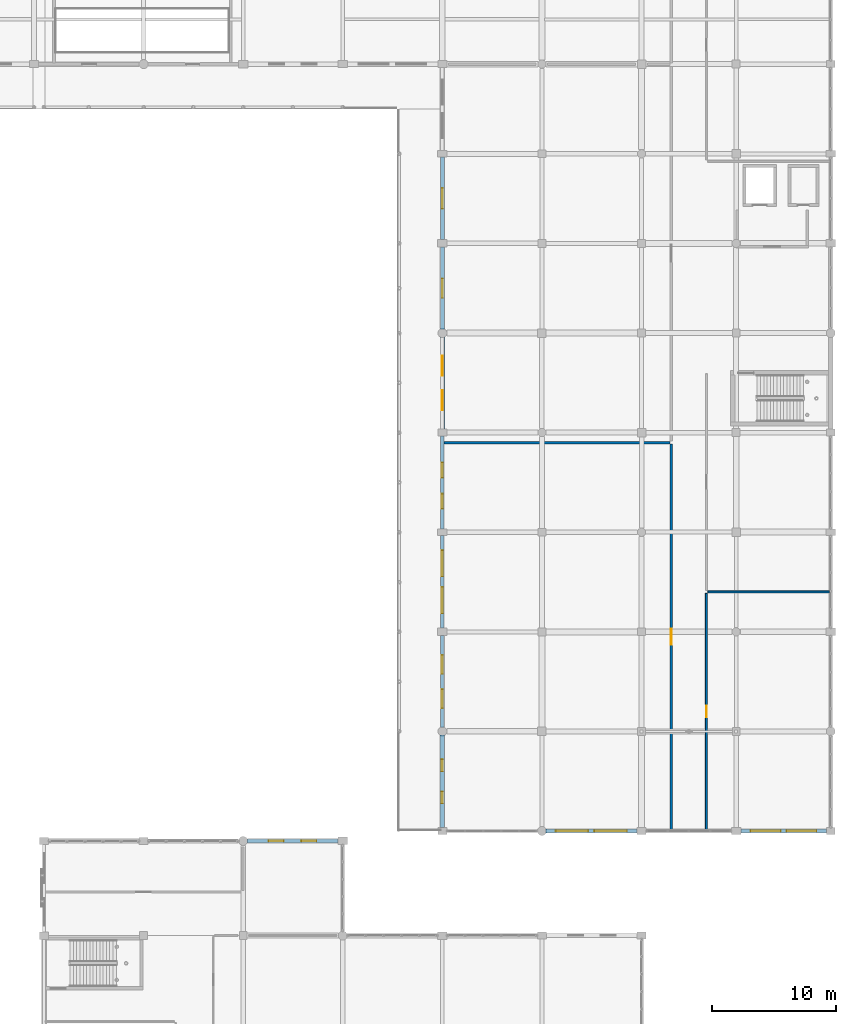
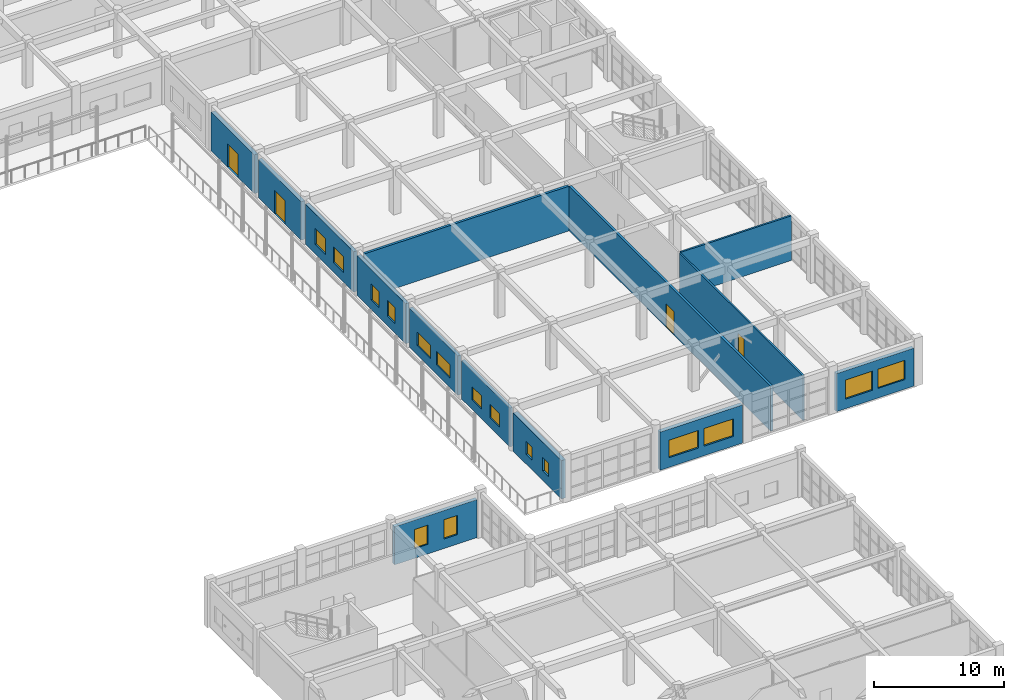
# One storey, part 135 of 160: 16 windows, 14 walls, 4 doors, 20 openings.
"""IFC4 building model written with IfcOpenShell, lengths in metres."""

from ifc_helpers import new_model, si_unit, direction, frame, frame_2d, origin, place, context, subcontext, project, spatial, rectangle, extrude, material, layer, layer_set, type_object, element, fill, save


model = new_model("IFC4")

# Units and contexts
model_context = context("Model", 3, precision=1e-05, world=origin(), true_north=direction((0.0, 1.0)))
body_context = subcontext(model_context, "Body", "Model", "MODEL_VIEW")
ifc_project = project(units=[si_unit("LENGTHUNIT", "METRE"), si_unit("AREAUNIT", "SQUARE_METRE"), si_unit("VOLUMEUNIT", "CUBIC_METRE"), si_unit("PLANEANGLEUNIT", "RADIAN"), si_unit("MASSUNIT", "GRAM", prefix="KILO")], contexts=[model_context])

# Site, building, storey
site_placement = place(None, origin())
site = spatial("IfcSite", under=ifc_project, at=site_placement, CompositionType="ELEMENT")
building_placement = place(site_placement, origin())
building = spatial("IfcBuilding", under=site, at=building_placement, Name="Kharva Crest Polytechnic", CompositionType="ELEMENT")
storey_placement = place(building_placement, frame((0.0, 0.0, 4.5)))
storey = spatial("IfcBuildingStorey", under=building, at=storey_placement, Name="L01", CompositionType="ELEMENT", Elevation=4.5)

# Wall, openings, windows
ifc_material_1 = material(Name="Kiln brick masonry", Category="masonry")
ifc_layer_1 = layer(ifc_material_1, 0.260009765625, Name="Kiln brick masonry")
ifc_layer_set_1 = layer_set([ifc_layer_1], Name="Kiln brick masonry")
wall_type_1 = type_object("IfcWallType", Name="WL-EXT-BRK-260", PredefinedType="SOLIDWALL", material=ifc_layer_set_1)
wall_1_placement = place(storey_placement, frame((152.800048828125, 54.5048828125, 0.0), z_axis=(0.0, 0.0, 1.0), x_axis=(0.0, -1.0, 0.0)))
wall_1 = element("IfcWall", 1, at=wall_1_placement, inside=storey, type_object=wall_type_1, Name="L01 Exterior Brick Wall 197", PredefinedType="SOLIDWALL", context=body_context, shape_type="SweptSolid", body=[
    extrude(rectangle(XDim=7.402587890625, YDim=0.260009765625, at=frame_2d((3.701171875, 0.0))), origin(), (0.0, 0.0, 1.0), 3.639892578125),
])
opening_1_placement = place(wall_1_placement, frame((1.573974609375, 0.0, 0.89990234375)))
opening_1 = element("IfcOpeningElement", 2, at=opening_1_placement, cuts=wall_1, Name="Opening W20", PredefinedType="OPENING", context=body_context, shape_type="SweptSolid", body=[
    extrude(rectangle(XDim=1.5, YDim=1.25, at=frame_2d((0.75, 0.625))), frame((0.0, 0.139892578125, 0.0), z_axis=(0.0, -1.0, 0.0), x_axis=(1.0, 0.0, 0.0)), (0.0, 0.0, 1.0), 0.280029296875),
])
opening_2_placement = place(wall_1_placement, frame((4.327880859375, 0.0, 0.89990234375)))
opening_2 = element("IfcOpeningElement", 3, at=opening_2_placement, cuts=wall_1, Name="Opening W20", PredefinedType="OPENING", context=body_context, shape_type="SweptSolid", body=[
    extrude(rectangle(XDim=1.5, YDim=1.25, at=frame_2d((0.75, 0.625))), frame((0.0, 0.139892578125, 0.0), z_axis=(0.0, -1.0, 0.0), x_axis=(1.0, 0.0, 0.0)), (0.0, 0.0, 1.0), 0.280029296875),
])
ifc_material_2 = material(Name="Anodised aluminium", Category="aluminium")
window_type_1 = type_object("IfcWindowType", Name="WIN-ALU-1500X1250", PartitioningType="SINGLE_PANEL", PredefinedType="WINDOW", material=ifc_material_2)
window_1_placement = place(opening_1_placement, origin())
window_1 = element("IfcWindow", 4, at=window_1_placement, inside=storey, type_object=window_type_1, Name="L01 Exterior Window 258", OverallHeight=1.25, OverallWidth=1.5, PartitioningType="SINGLE_PANEL", PredefinedType="WINDOW", context=body_context, shape_type="SweptSolid", body=[
    extrude(rectangle(XDim=1.5, YDim=1.25, at=frame_2d((0.75, 0.625))), frame((0.0, 0.030029296875, 0.0), z_axis=(0.0, -1.0, 0.0), x_axis=(1.0, 0.0, 0.0)), (0.0, 0.0, 1.0), 0.06005859375),
])
fill(opening_1, window_1)
window_2_placement = place(opening_2_placement, origin())
window_2 = element("IfcWindow", 5, at=window_2_placement, inside=storey, type_object=window_type_1, Name="L01 Exterior Window 259", OverallHeight=1.25, OverallWidth=1.5, PartitioningType="SINGLE_PANEL", PredefinedType="WINDOW", context=body_context, shape_type="SweptSolid", body=[
    extrude(rectangle(XDim=1.5, YDim=1.25, at=frame_2d((0.75, 0.625))), frame((0.0, 0.030029296875, 0.0), z_axis=(0.0, -1.0, 0.0), x_axis=(1.0, 0.0, 0.0)), (0.0, 0.0, 1.0), 0.06005859375),
])
fill(opening_2, window_2)

ifc_layer_2 = layer(ifc_material_1, 0.27490234375, Name="Kiln brick masonry")
ifc_layer_set_2 = layer_set([ifc_layer_2], Name="Kiln brick masonry")
wall_type_2 = type_object("IfcWallType", Name="WL-EXT-BRK-275", PredefinedType="SOLIDWALL", material=ifc_layer_set_2)
wall_2_placement = place(storey_placement, frame((152.800048828125, 62.530029296875, 0.0), z_axis=(0.0, 0.0, 1.0), x_axis=(0.0, -1.0, 0.0)))
wall_2 = element("IfcWall", 6, at=wall_2_placement, inside=storey, type_object=wall_type_2, Name="L01 Exterior Brick Wall 196", PredefinedType="SOLIDWALL", context=body_context, shape_type="SweptSolid", body=[
    extrude(rectangle(XDim=7.43505859375, YDim=0.27490234375, at=frame_2d((3.717529296875, 0.0))), origin(), (0.0, 0.0, 1.0), 3.699951171875),
])
opening_3_placement = place(wall_2_placement, frame((1.18505859375, 0.0, 0.89990234375)))
opening_3 = element("IfcOpeningElement", 7, at=opening_3_placement, cuts=wall_2, Name="Opening W18", PredefinedType="OPENING", context=body_context, shape_type="SweptSolid", body=[
    extrude(rectangle(XDim=2.10009765625, YDim=1.25, at=frame_2d((1.050048828125, 0.625))), frame((0.0, 0.1474609375, 0.0), z_axis=(0.0, -1.0, 0.0), x_axis=(1.0, 0.0, 0.0)), (0.0, 0.0, 1.0), 0.294921875),
])
opening_4_placement = place(wall_2_placement, frame((4.14990234375, 0.0, 0.89990234375)))
opening_4 = element("IfcOpeningElement", 8, at=opening_4_placement, cuts=wall_2, Name="Opening W18", PredefinedType="OPENING", context=body_context, shape_type="SweptSolid", body=[
    extrude(rectangle(XDim=2.10009765625, YDim=1.25, at=frame_2d((1.050048828125, 0.625))), frame((0.0, 0.1474609375, 0.0), z_axis=(0.0, -1.0, 0.0), x_axis=(1.0, 0.0, 0.0)), (0.0, 0.0, 1.0), 0.294921875),
])
window_type_2 = type_object("IfcWindowType", Name="WIN-ALU-2100X1250", PartitioningType="SINGLE_PANEL", PredefinedType="WINDOW", material=ifc_material_2)
window_3_placement = place(opening_3_placement, origin())
window_3 = element("IfcWindow", 9, at=window_3_placement, inside=storey, type_object=window_type_2, Name="L01 Exterior Window 256", OverallHeight=1.25, OverallWidth=2.10009765625, PartitioningType="SINGLE_PANEL", PredefinedType="WINDOW", context=body_context, shape_type="SweptSolid", body=[
    extrude(rectangle(XDim=2.10009765625, YDim=1.25, at=frame_2d((1.050048828125, 0.625))), frame((0.0, 0.030029296875, 0.0), z_axis=(0.0, -1.0, 0.0), x_axis=(1.0, 0.0, 0.0)), (0.0, 0.0, 1.0), 0.06005859375),
])
fill(opening_3, window_3)
window_4_placement = place(opening_4_placement, origin())
window_4 = element("IfcWindow", 10, at=window_4_placement, inside=storey, type_object=window_type_2, Name="L01 Exterior Window 257", OverallHeight=1.25, OverallWidth=2.10009765625, PartitioningType="SINGLE_PANEL", PredefinedType="WINDOW", context=body_context, shape_type="SweptSolid", body=[
    extrude(rectangle(XDim=2.10009765625, YDim=1.25, at=frame_2d((1.050048828125, 0.625))), frame((0.0, 0.030029296875, 0.0), z_axis=(0.0, -1.0, 0.0), x_axis=(1.0, 0.0, 0.0)), (0.0, 0.0, 1.0), 0.06005859375),
])
fill(opening_4, window_4)

ifc_layer_3 = layer(ifc_material_1, 0.2900390625, Name="Kiln brick masonry")
ifc_layer_set_3 = layer_set([ifc_layer_3], Name="Kiln brick masonry")
wall_type_3 = type_object("IfcWallType", Name="WL-EXT-BRK-290", PredefinedType="SOLIDWALL", material=ifc_layer_set_3)
wall_3_placement = place(storey_placement, frame((152.800048828125, 70.530029296875, 0.0), z_axis=(0.0, 0.0, 1.0), x_axis=(0.0, -1.0, 0.0)))
wall_3 = element("IfcWall", 11, at=wall_3_placement, inside=storey, type_object=wall_type_3, Name="L01 Exterior Brick Wall 195", PredefinedType="SOLIDWALL", context=body_context, shape_type="SweptSolid", body=[
    extrude(rectangle(XDim=7.4599609375, YDim=0.2900390625, at=frame_2d((3.72998046875, 0.0))), origin(), (0.0, 0.0, 1.0), 3.760009765625),
])
opening_5_placement = place(wall_3_placement, frame((2.139892578125, 0.0, 0.89990234375)))
opening_5 = element("IfcOpeningElement", 12, at=opening_5_placement, cuts=wall_3, Name="Opening W16", PredefinedType="OPENING", context=body_context, shape_type="SweptSolid", body=[
    extrude(rectangle(XDim=1.199951171875, YDim=1.5, at=frame_2d((0.60009765625, 0.75))), frame((0.0, 0.155029296875, 0.0), z_axis=(0.0, -1.0, 0.0), x_axis=(1.0, 0.0, 0.0)), (0.0, 0.0, 1.0), 0.31005859375),
])
opening_6_placement = place(wall_3_placement, frame((4.639892578125, 0.0, 0.89990234375)))
opening_6 = element("IfcOpeningElement", 13, at=opening_6_placement, cuts=wall_3, Name="Opening W16", PredefinedType="OPENING", context=body_context, shape_type="SweptSolid", body=[
    extrude(rectangle(XDim=1.199951171875, YDim=1.5, at=frame_2d((0.60009765625, 0.75))), frame((0.0, 0.155029296875, 0.0), z_axis=(0.0, -1.0, 0.0), x_axis=(1.0, 0.0, 0.0)), (0.0, 0.0, 1.0), 0.31005859375),
])
window_type_3 = type_object("IfcWindowType", Name="WIN-ALU-1200X1500", PartitioningType="SINGLE_PANEL", PredefinedType="WINDOW", material=ifc_material_2)
window_5_placement = place(opening_5_placement, origin())
window_5 = element("IfcWindow", 14, at=window_5_placement, inside=storey, type_object=window_type_3, Name="L01 Exterior Window 254", OverallHeight=1.5, OverallWidth=1.199951171875, PartitioningType="SINGLE_PANEL", PredefinedType="WINDOW", context=body_context, shape_type="SweptSolid", body=[
    extrude(rectangle(XDim=1.199951171875, YDim=1.5, at=frame_2d((0.60009765625, 0.75))), frame((0.0, 0.030029296875, 0.0), z_axis=(0.0, -1.0, 0.0), x_axis=(1.0, 0.0, 0.0)), (0.0, 0.0, 1.0), 0.06005859375),
])
fill(opening_5, window_5)
window_6_placement = place(opening_6_placement, origin())
window_6 = element("IfcWindow", 15, at=window_6_placement, inside=storey, type_object=window_type_3, Name="L01 Exterior Window 255", OverallHeight=1.5, OverallWidth=1.199951171875, PartitioningType="SINGLE_PANEL", PredefinedType="WINDOW", context=body_context, shape_type="SweptSolid", body=[
    extrude(rectangle(XDim=1.199951171875, YDim=1.5, at=frame_2d((0.60009765625, 0.75))), frame((0.0, 0.030029296875, 0.0), z_axis=(0.0, -1.0, 0.0), x_axis=(1.0, 0.0, 0.0)), (0.0, 0.0, 1.0), 0.06005859375),
])
fill(opening_6, window_6)

ifc_layer_4 = layer(ifc_material_1, 0.304931640625, Name="Kiln brick masonry")
ifc_layer_set_4 = layer_set([ifc_layer_4], Name="Kiln brick masonry")
wall_type_4 = type_object("IfcWallType", Name="WL-EXT-BRK-305", PredefinedType="SOLIDWALL", material=ifc_layer_set_4)
wall_4_placement = place(storey_placement, frame((144.429931640625, 38.0, 0.0), z_axis=(0.0, 0.0, 1.0), x_axis=(-1.0, 0.0, 0.0)))
wall_4 = element("IfcWall", 16, at=wall_4_placement, inside=storey, type_object=wall_type_4, Name="L01 Exterior Brick Wall 154", PredefinedType="SOLIDWALL", context=body_context, shape_type="SweptSolid", body=[
    extrude(rectangle(XDim=7.32763671875, YDim=0.304931640625, at=frame_2d((3.663818359375, 0.0))), origin(), (0.0, 0.0, 1.0), 3.570068359375),
])
opening_7_placement = place(wall_4_placement, frame((1.7490234375, 0.0, 0.89990234375)))
opening_7 = element("IfcOpeningElement", 17, at=opening_7_placement, cuts=wall_4, Name="Opening W08", PredefinedType="OPENING", context=body_context, shape_type="SweptSolid", body=[
    extrude(rectangle(XDim=1.199951171875, YDim=1.800048828125, at=frame_2d((0.60009765625, 0.89990234375))), frame((0.0, 0.162353515625, 0.0), z_axis=(0.0, -1.0, 0.0), x_axis=(1.0, 0.0, 0.0)), (0.0, 0.0, 1.0), 0.324951171875),
])
opening_8_placement = place(wall_4_placement, frame((4.3779296875, 0.0, 0.89990234375)))
opening_8 = element("IfcOpeningElement", 18, at=opening_8_placement, cuts=wall_4, Name="Opening W08", PredefinedType="OPENING", context=body_context, shape_type="SweptSolid", body=[
    extrude(rectangle(XDim=1.199951171875, YDim=1.800048828125, at=frame_2d((0.60009765625, 0.89990234375))), frame((0.0, 0.162353515625, 0.0), z_axis=(0.0, -1.0, 0.0), x_axis=(1.0, 0.0, 0.0)), (0.0, 0.0, 1.0), 0.324951171875),
])
window_type_4 = type_object("IfcWindowType", Name="WIN-ALU-1200X1800", PartitioningType="SINGLE_PANEL", PredefinedType="WINDOW", material=ifc_material_2)
window_7_placement = place(opening_7_placement, origin())
window_7 = element("IfcWindow", 19, at=window_7_placement, inside=storey, type_object=window_type_4, Name="L01 Exterior Window 198", OverallHeight=1.800048828125, OverallWidth=1.199951171875, PartitioningType="SINGLE_PANEL", PredefinedType="WINDOW", context=body_context, shape_type="SweptSolid", body=[
    extrude(rectangle(XDim=1.199951171875, YDim=1.800048828125, at=frame_2d((0.60009765625, 0.89990234375))), frame((0.0, 0.030029296875, 0.0), z_axis=(0.0, -1.0, 0.0), x_axis=(1.0, 0.0, 0.0)), (0.0, 0.0, 1.0), 0.06005859375),
])
fill(opening_7, window_7)
window_8_placement = place(opening_8_placement, origin())
window_8 = element("IfcWindow", 20, at=window_8_placement, inside=storey, type_object=window_type_4, Name="L01 Exterior Window 199", OverallHeight=1.800048828125, OverallWidth=1.199951171875, PartitioningType="SINGLE_PANEL", PredefinedType="WINDOW", context=body_context, shape_type="SweptSolid", body=[
    extrude(rectangle(XDim=1.199951171875, YDim=1.800048828125, at=frame_2d((0.60009765625, 0.89990234375))), frame((0.0, 0.030029296875, 0.0), z_axis=(0.0, -1.0, 0.0), x_axis=(1.0, 0.0, 0.0)), (0.0, 0.0, 1.0), 0.06005859375),
])
fill(opening_8, window_8)

wall_5_placement = place(storey_placement, frame((152.800048828125, 78.49755859375, 0.0), z_axis=(0.0, 0.0, 1.0), x_axis=(0.0, -1.0, 0.0)))
wall_5 = element("IfcWall", 21, at=wall_5_placement, inside=storey, type_object=wall_type_4, Name="L01 Exterior Brick Wall 194", PredefinedType="SOLIDWALL", context=body_context, shape_type="SweptSolid", body=[
    extrude(rectangle(XDim=7.427490234375, YDim=0.304931640625, at=frame_2d((3.7138671875, 0.0))), origin(), (0.0, 0.0, 1.0), 3.780029296875),
])
opening_9_placement = place(wall_5_placement, frame((1.51611328125, 0.0, 0.89990234375)))
opening_9 = element("IfcOpeningElement", 22, at=opening_9_placement, cuts=wall_5, Name="Opening W14", PredefinedType="OPENING", context=body_context, shape_type="SweptSolid", body=[
    extrude(rectangle(XDim=1.60009765625, YDim=1.5, at=frame_2d((0.800048828125, 0.75))), frame((0.0, 0.162353515625, 0.0), z_axis=(0.0, -1.0, 0.0), x_axis=(1.0, 0.0, 0.0)), (0.0, 0.0, 1.0), 0.324951171875),
])
opening_10_placement = place(wall_5_placement, frame((4.31201171875, 0.0, 0.89990234375)))
opening_10 = element("IfcOpeningElement", 23, at=opening_10_placement, cuts=wall_5, Name="Opening W14", PredefinedType="OPENING", context=body_context, shape_type="SweptSolid", body=[
    extrude(rectangle(XDim=1.60009765625, YDim=1.5, at=frame_2d((0.800048828125, 0.75))), frame((0.0, 0.162353515625, 0.0), z_axis=(0.0, -1.0, 0.0), x_axis=(1.0, 0.0, 0.0)), (0.0, 0.0, 1.0), 0.324951171875),
])
window_type_5 = type_object("IfcWindowType", Name="WIN-ALU-1600X1500", PartitioningType="SINGLE_PANEL", PredefinedType="WINDOW", material=ifc_material_2)
window_9_placement = place(opening_9_placement, origin())
window_9 = element("IfcWindow", 24, at=window_9_placement, inside=storey, type_object=window_type_5, Name="L01 Exterior Window 252", OverallHeight=1.5, OverallWidth=1.60009765625, PartitioningType="SINGLE_PANEL", PredefinedType="WINDOW", context=body_context, shape_type="SweptSolid", body=[
    extrude(rectangle(XDim=1.60009765625, YDim=1.5, at=frame_2d((0.800048828125, 0.75))), frame((0.0, 0.030029296875, 0.0), z_axis=(0.0, -1.0, 0.0), x_axis=(1.0, 0.0, 0.0)), (0.0, 0.0, 1.0), 0.06005859375),
])
fill(opening_9, window_9)
window_10_placement = place(opening_10_placement, origin())
window_10 = element("IfcWindow", 25, at=window_10_placement, inside=storey, type_object=window_type_5, Name="L01 Exterior Window 253", OverallHeight=1.5, OverallWidth=1.60009765625, PartitioningType="SINGLE_PANEL", PredefinedType="WINDOW", context=body_context, shape_type="SweptSolid", body=[
    extrude(rectangle(XDim=1.60009765625, YDim=1.5, at=frame_2d((0.800048828125, 0.75))), frame((0.0, 0.030029296875, 0.0), z_axis=(0.0, -1.0, 0.0), x_axis=(1.0, 0.0, 0.0)), (0.0, 0.0, 1.0), 0.06005859375),
])
fill(opening_10, window_10)

# Wall, opening, door
ifc_layer_5 = layer(ifc_material_1, 0.320068359375, Name="Kiln brick masonry")
ifc_layer_set_5 = layer_set([ifc_layer_5], Name="Kiln brick masonry")
wall_type_5 = type_object("IfcWallType", Name="WL-EXT-BRK-320", PredefinedType="SOLIDWALL", material=ifc_layer_set_5)
wall_6_placement = place(storey_placement, frame((152.800048828125, 85.705078125, 0.0), z_axis=(0.0, 0.0, 1.0), x_axis=(0.0, -1.0, 0.0)))
wall_6 = element("IfcWall", 26, at=wall_6_placement, inside=storey, type_object=wall_type_5, Name="L01 Exterior Brick Wall 193", PredefinedType="SOLIDWALL", context=body_context, shape_type="SweptSolid", body=[
    extrude(rectangle(XDim=6.602783203125, YDim=0.320068359375, at=frame_2d((3.30126953125, 0.0))), origin(), (0.0, 0.0, 1.0), 3.60009765625),
])
opening_11_placement = place(wall_6_placement, frame((2.52587890625, 0.0, 0.0)))
opening_11 = element("IfcOpeningElement", 27, at=opening_11_placement, cuts=wall_6, Name="Opening ED8", PredefinedType="OPENING", context=body_context, shape_type="SweptSolid", body=[
    extrude(rectangle(XDim=1.550048828125, YDim=2.199951171875, at=frame_2d((0.77490234375, 1.10009765625))), frame((0.0, 0.169921875, 0.0), z_axis=(0.0, -1.0, 0.0), x_axis=(1.0, 0.0, 0.0)), (0.0, 0.0, 1.0), 0.340087890625),
])
door_type_1 = type_object("IfcDoorType", Name="DR-EXT-TER-1550X2200", OperationType="NOTDEFINED", PredefinedType="DOOR", material=ifc_material_2)
door_1_placement = place(opening_11_placement, frame((1.550048828125, 0.0, 0.0), z_axis=(0.0, 0.0, 1.0), x_axis=(-1.0, 0.0, 0.0)))
door_1 = element("IfcDoor", 28, at=door_1_placement, inside=storey, type_object=door_type_1, Name="L01 VER_E_L01 Access Door 41", OperationType="DOUBLE_DOOR_SINGLE_SWING", OverallHeight=2.199951171875, OverallWidth=1.550048828125, PredefinedType="DOOR", context=body_context, shape_type="SweptSolid", body=[
    extrude(rectangle(XDim=1.550048828125, YDim=2.199951171875, at=frame_2d((0.77490234375, 1.10009765625))), frame((0.0, 0.02490234375, 0.0), z_axis=(0.0, -1.0, 0.0), x_axis=(1.0, 0.0, 0.0)), (0.0, 0.0, 1.0), 0.050048828125),
])
fill(opening_11, door_1)

# Wall, openings, windows
wall_7_placement = place(storey_placement, frame((176.77001953125, 38.800048828125, 0.0), z_axis=(0.0, 0.0, 1.0), x_axis=(1.0, 0.0, 0.0)))
wall_7 = element("IfcWall", 29, at=wall_7_placement, inside=storey, type_object=wall_type_5, Name="L01 Exterior Brick Wall 200", PredefinedType="SOLIDWALL", context=body_context, shape_type="SweptSolid", body=[
    extrude(rectangle(XDim=6.875, YDim=0.320068359375, at=frame_2d((3.4375, 0.0))), origin(), (0.0, 0.0, 1.0), 3.570068359375),
])
opening_12_placement = place(wall_7_placement, frame((0.798095703125, 0.0, 0.89990234375)))
opening_12 = element("IfcOpeningElement", 30, at=opening_12_placement, cuts=wall_7, Name="Opening W02", PredefinedType="OPENING", context=body_context, shape_type="SweptSolid", body=[
    extrude(rectangle(XDim=2.39990234375, YDim=1.800048828125, at=frame_2d((1.199951171875, 0.89990234375))), frame((0.0, 0.169921875, 0.0), z_axis=(0.0, -1.0, 0.0), x_axis=(1.0, 0.0, 0.0)), (0.0, 0.0, 1.0), 0.340087890625),
])
opening_13_placement = place(wall_7_placement, frame((3.677001953125, 0.0, 0.89990234375)))
opening_13 = element("IfcOpeningElement", 31, at=opening_13_placement, cuts=wall_7, Name="Opening W02", PredefinedType="OPENING", context=body_context, shape_type="SweptSolid", body=[
    extrude(rectangle(XDim=2.39990234375, YDim=1.800048828125, at=frame_2d((1.199951171875, 0.89990234375))), frame((0.0, 0.169921875, 0.0), z_axis=(0.0, -1.0, 0.0), x_axis=(1.0, 0.0, 0.0)), (0.0, 0.0, 1.0), 0.340087890625),
])
window_type_6 = type_object("IfcWindowType", Name="WIN-ALU-2400X1800", PartitioningType="SINGLE_PANEL", PredefinedType="WINDOW", material=ifc_material_2)
window_11_placement = place(opening_12_placement, origin())
window_11 = element("IfcWindow", 32, at=window_11_placement, inside=storey, type_object=window_type_6, Name="L01 Exterior Window 264", OverallHeight=1.800048828125, OverallWidth=2.39990234375, PartitioningType="SINGLE_PANEL", PredefinedType="WINDOW", context=body_context, shape_type="SweptSolid", body=[
    extrude(rectangle(XDim=2.39990234375, YDim=1.800048828125, at=frame_2d((1.199951171875, 0.89990234375))), frame((0.0, 0.030029296875, 0.0), z_axis=(0.0, -1.0, 0.0), x_axis=(1.0, 0.0, 0.0)), (0.0, 0.0, 1.0), 0.06005859375),
])
fill(opening_12, window_11)
window_12_placement = place(opening_13_placement, origin())
window_12 = element("IfcWindow", 33, at=window_12_placement, inside=storey, type_object=window_type_6, Name="L01 Exterior Window 265", OverallHeight=1.800048828125, OverallWidth=2.39990234375, PartitioningType="SINGLE_PANEL", PredefinedType="WINDOW", context=body_context, shape_type="SweptSolid", body=[
    extrude(rectangle(XDim=2.39990234375, YDim=1.800048828125, at=frame_2d((1.199951171875, 0.89990234375))), frame((0.0, 0.030029296875, 0.0), z_axis=(0.0, -1.0, 0.0), x_axis=(1.0, 0.0, 0.0)), (0.0, 0.0, 1.0), 0.06005859375),
])
fill(opening_13, window_12)

# Wall, opening, door
ifc_layer_6 = layer(ifc_material_1, 0.3349609375, Name="Kiln brick masonry")
ifc_layer_set_6 = layer_set([ifc_layer_6], Name="Kiln brick masonry")
wall_type_6 = type_object("IfcWallType", Name="WL-EXT-BRK-335", PredefinedType="SOLIDWALL", material=ifc_layer_set_6)
wall_8_placement = place(storey_placement, frame((152.800048828125, 92.929931640625, 0.0), z_axis=(0.0, 0.0, 1.0), x_axis=(0.0, -1.0, 0.0)))
wall_8 = element("IfcWall", 34, at=wall_8_placement, inside=storey, type_object=wall_type_6, Name="L01 Exterior Brick Wall 192", PredefinedType="SOLIDWALL", context=body_context, shape_type="SweptSolid", body=[
    extrude(rectangle(XDim=6.635009765625, YDim=0.3349609375, at=frame_2d((3.3173828125, 0.0))), origin(), (0.0, 0.0, 1.0), 3.639892578125),
])
opening_14_placement = place(wall_8_placement, frame((2.492919921875, 0.0, 0.0)))
opening_14 = element("IfcOpeningElement", 35, at=opening_14_placement, cuts=wall_8, Name="Opening ED7", PredefinedType="OPENING", context=body_context, shape_type="SweptSolid", body=[
    extrude(rectangle(XDim=1.64990234375, YDim=2.199951171875, at=frame_2d((0.824951171875, 1.10009765625))), frame((0.0, 0.177490234375, 0.0), z_axis=(0.0, -1.0, 0.0), x_axis=(1.0, 0.0, 0.0)), (0.0, 0.0, 1.0), 0.35498046875),
])
door_type_2 = type_object("IfcDoorType", Name="DR-EXT-TER-1650X2200", OperationType="NOTDEFINED", PredefinedType="DOOR", material=ifc_material_2)
door_2_placement = place(opening_14_placement, frame((1.64990234375, 0.0, 0.0), z_axis=(0.0, 0.0, 1.0), x_axis=(-1.0, 0.0, 0.0)))
door_2 = element("IfcDoor", 36, at=door_2_placement, inside=storey, type_object=door_type_2, Name="L01 VER_E_L01 Access Door 40", OperationType="DOUBLE_DOOR_SINGLE_SWING", OverallHeight=2.199951171875, OverallWidth=1.64990234375, PredefinedType="DOOR", context=body_context, shape_type="SweptSolid", body=[
    extrude(rectangle(XDim=1.64990234375, YDim=2.199951171875, at=frame_2d((0.824951171875, 1.10009765625))), frame((0.0, 0.02490234375, 0.0), z_axis=(0.0, -1.0, 0.0), x_axis=(1.0, 0.0, 0.0)), (0.0, 0.0, 1.0), 0.050048828125),
])
fill(opening_14, door_2)

# Wall, openings, windows
ifc_layer_7 = layer(ifc_material_1, 0.35009765625, Name="Kiln brick masonry")
ifc_layer_set_7 = layer_set([ifc_layer_7], Name="Kiln brick masonry")
wall_type_7 = type_object("IfcWallType", Name="WL-EXT-BRK-350", PredefinedType="SOLIDWALL", material=ifc_layer_set_7)
wall_9_placement = place(storey_placement, frame((161.102294921875, 38.800048828125, 0.0), z_axis=(0.0, 0.0, 1.0), x_axis=(1.0, 0.0, 0.0)))
wall_9 = element("IfcWall", 37, at=wall_9_placement, inside=storey, type_object=wall_type_7, Name="L01 Exterior Brick Wall 199", PredefinedType="SOLIDWALL", context=body_context, shape_type="SweptSolid", body=[
    extrude(rectangle(XDim=7.32763671875, YDim=0.35009765625, at=frame_2d((3.663818359375, 0.0))), origin(), (0.0, 0.0, 1.0), 3.570068359375),
])
opening_15_placement = place(wall_9_placement, frame((0.81591796875, 0.0, 0.89990234375)))
opening_15 = element("IfcOpeningElement", 38, at=opening_15_placement, cuts=wall_9, Name="Opening W24", PredefinedType="OPENING", context=body_context, shape_type="SweptSolid", body=[
    extrude(rectangle(XDim=2.60009765625, YDim=1.64990234375, at=frame_2d((1.300048828125, 0.824951171875))), frame((0.0, 0.18505859375, 0.0), z_axis=(0.0, -1.0, 0.0), x_axis=(1.0, 0.0, 0.0)), (0.0, 0.0, 1.0), 0.3701171875),
])
opening_16_placement = place(wall_9_placement, frame((3.912109375, 0.0, 0.89990234375)))
opening_16 = element("IfcOpeningElement", 39, at=opening_16_placement, cuts=wall_9, Name="Opening W24", PredefinedType="OPENING", context=body_context, shape_type="SweptSolid", body=[
    extrude(rectangle(XDim=2.60009765625, YDim=1.64990234375, at=frame_2d((1.300048828125, 0.824951171875))), frame((0.0, 0.18505859375, 0.0), z_axis=(0.0, -1.0, 0.0), x_axis=(1.0, 0.0, 0.0)), (0.0, 0.0, 1.0), 0.3701171875),
])
window_type_7 = type_object("IfcWindowType", Name="WIN-ALU-2600X1650", PartitioningType="SINGLE_PANEL", PredefinedType="WINDOW", material=ifc_material_2)
window_13_placement = place(opening_15_placement, origin())
window_13 = element("IfcWindow", 40, at=window_13_placement, inside=storey, type_object=window_type_7, Name="L01 Exterior Window 262", OverallHeight=1.64990234375, OverallWidth=2.60009765625, PartitioningType="SINGLE_PANEL", PredefinedType="WINDOW", context=body_context, shape_type="SweptSolid", body=[
    extrude(rectangle(XDim=2.60009765625, YDim=1.64990234375, at=frame_2d((1.300048828125, 0.824951171875))), frame((0.0, 0.030029296875, 0.0), z_axis=(0.0, -1.0, 0.0), x_axis=(1.0, 0.0, 0.0)), (0.0, 0.0, 1.0), 0.06005859375),
])
fill(opening_15, window_13)
window_14_placement = place(opening_16_placement, origin())
window_14 = element("IfcWindow", 41, at=window_14_placement, inside=storey, type_object=window_type_7, Name="L01 Exterior Window 263", OverallHeight=1.64990234375, OverallWidth=2.60009765625, PartitioningType="SINGLE_PANEL", PredefinedType="WINDOW", context=body_context, shape_type="SweptSolid", body=[
    extrude(rectangle(XDim=2.60009765625, YDim=1.64990234375, at=frame_2d((1.300048828125, 0.824951171875))), frame((0.0, 0.030029296875, 0.0), z_axis=(0.0, -1.0, 0.0), x_axis=(1.0, 0.0, 0.0)), (0.0, 0.0, 1.0), 0.06005859375),
])
fill(opening_16, window_14)

ifc_layer_8 = layer(ifc_material_1, 0.3798828125, Name="Kiln brick masonry")
ifc_layer_set_8 = layer_set([ifc_layer_8], Name="Kiln brick masonry")
wall_type_8 = type_object("IfcWallType", Name="WL-EXT-BRK-380", PredefinedType="SOLIDWALL", material=ifc_layer_set_8)
wall_10_placement = place(storey_placement, frame((152.800048828125, 46.49755859375, 0.0), z_axis=(0.0, 0.0, 1.0), x_axis=(0.0, -1.0, 0.0)))
wall_10 = element("IfcWall", 42, at=wall_10_placement, inside=storey, type_object=wall_type_8, Name="L01 Exterior Brick Wall 198", PredefinedType="SOLIDWALL", context=body_context, shape_type="SweptSolid", body=[
    extrude(rectangle(XDim=7.427490234375, YDim=0.3798828125, at=frame_2d((3.7138671875, 0.0))), origin(), (0.0, 0.0, 1.0), 3.60009765625),
])
opening_17_placement = place(wall_10_placement, frame((1.948974609375, 0.0, 0.89990234375)))
opening_17 = element("IfcOpeningElement", 43, at=opening_17_placement, cuts=wall_10, Name="Opening W22", PredefinedType="OPENING", context=body_context, shape_type="SweptSolid", body=[
    extrude(rectangle(XDim=0.949951171875, YDim=1.25, at=frame_2d((0.47509765625, 0.625))), frame((0.0, 0.199951171875, 0.0), z_axis=(0.0, -1.0, 0.0), x_axis=(1.0, 0.0, 0.0)), (0.0, 0.0, 1.0), 0.39990234375),
])
opening_18_placement = place(wall_10_placement, frame((4.528076171875, 0.0, 0.89990234375)))
opening_18 = element("IfcOpeningElement", 44, at=opening_18_placement, cuts=wall_10, Name="Opening W22", PredefinedType="OPENING", context=body_context, shape_type="SweptSolid", body=[
    extrude(rectangle(XDim=0.949951171875, YDim=1.25, at=frame_2d((0.47509765625, 0.625))), frame((0.0, 0.199951171875, 0.0), z_axis=(0.0, -1.0, 0.0), x_axis=(1.0, 0.0, 0.0)), (0.0, 0.0, 1.0), 0.39990234375),
])
window_type_8 = type_object("IfcWindowType", Name="WIN-ALU-950X1250", PartitioningType="SINGLE_PANEL", PredefinedType="WINDOW", material=ifc_material_2)
window_15_placement = place(opening_17_placement, origin())
window_15 = element("IfcWindow", 45, at=window_15_placement, inside=storey, type_object=window_type_8, Name="L01 Exterior Window 260", OverallHeight=1.25, OverallWidth=0.949951171875, PartitioningType="SINGLE_PANEL", PredefinedType="WINDOW", context=body_context, shape_type="SweptSolid", body=[
    extrude(rectangle(XDim=0.949951171875, YDim=1.25, at=frame_2d((0.47509765625, 0.625))), frame((0.0, 0.030029296875, 0.0), z_axis=(0.0, -1.0, 0.0), x_axis=(1.0, 0.0, 0.0)), (0.0, 0.0, 1.0), 0.06005859375),
])
fill(opening_17, window_15)
window_16_placement = place(opening_18_placement, origin())
window_16 = element("IfcWindow", 46, at=window_16_placement, inside=storey, type_object=window_type_8, Name="L01 Exterior Window 261", OverallHeight=1.25, OverallWidth=0.949951171875, PartitioningType="SINGLE_PANEL", PredefinedType="WINDOW", context=body_context, shape_type="SweptSolid", body=[
    extrude(rectangle(XDim=0.949951171875, YDim=1.25, at=frame_2d((0.47509765625, 0.625))), frame((0.0, 0.030029296875, 0.0), z_axis=(0.0, -1.0, 0.0), x_axis=(1.0, 0.0, 0.0)), (0.0, 0.0, 1.0), 0.06005859375),
])
fill(opening_18, window_16)

# Wall, opening, door
ifc_layer_9 = layer(ifc_material_1, 0.14990234375, Name="Kiln brick masonry")
ifc_layer_set_9 = layer_set([ifc_layer_9], Name="Kiln brick masonry")
wall_type_9 = type_object("IfcWallType", Name="WL-PART-150", PredefinedType="PARTITIONING", material=ifc_layer_set_9)
wall_11_placement = place(storey_placement, frame((174.010009765625, 38.909912109375, 0.0), z_axis=(0.0, 0.0, 1.0), x_axis=(0.0, 1.0, 0.0)))
wall_11 = element("IfcWall", 47, at=wall_11_placement, inside=storey, type_object=wall_type_9, Name="L01 Interior Partition 193", PredefinedType="PARTITIONING", context=body_context, shape_type="SweptSolid", body=[
    extrude(rectangle(XDim=18.97998046875, YDim=0.14990234375, at=frame_2d((9.489990234375, 0.0))), origin(), (0.0, 0.0, 1.0), 4.199951171875),
])
opening_19_placement = place(wall_11_placement, frame((9.010009765625, 0.0, 0.0)))
opening_19 = element("IfcOpeningElement", 48, at=opening_19_placement, cuts=wall_11, Name="Opening ID13", PredefinedType="OPENING", context=body_context, shape_type="SweptSolid", body=[
    extrude(rectangle(XDim=0.9599609375, YDim=2.14990234375, at=frame_2d((0.47998046875, 1.074951171875))), frame((0.0, 0.0849609375, 0.0), z_axis=(0.0, -1.0, 0.0), x_axis=(1.0, 0.0, 0.0)), (0.0, 0.0, 1.0), 0.169921875),
])
ifc_material_3 = material(Name="Teak timber", Category="wood")
door_type_3 = type_object("IfcDoorType", Name="DR-OFF-960X2150", OperationType="NOTDEFINED", PredefinedType="DOOR", material=ifc_material_3)
door_3_placement = place(opening_19_placement, origin())
door_3 = element("IfcDoor", 49, at=door_3_placement, inside=storey, type_object=door_type_3, Name="L01 Faculty Office Suite L01 Door", OperationType="SINGLE_SWING_LEFT", OverallHeight=2.14990234375, OverallWidth=0.9599609375, PredefinedType="DOOR", context=body_context, shape_type="SweptSolid", body=[
    extrude(rectangle(XDim=0.9599609375, YDim=2.14990234375, at=frame_2d((0.47998046875, 1.074951171875))), frame((0.0, 0.02490234375, 0.0), z_axis=(0.0, -1.0, 0.0), x_axis=(1.0, 0.0, 0.0)), (0.0, 0.0, 1.0), 0.050048828125),
])
fill(opening_19, door_3)

# Wall
ifc_layer_10 = layer(ifc_material_1, 0.159912109375, Name="Kiln brick masonry")
ifc_layer_set_10 = layer_set([ifc_layer_10], Name="Kiln brick masonry")
wall_type_10 = type_object("IfcWallType", Name="WL-PART-160", PredefinedType="PARTITIONING", material=ifc_layer_set_10)
wall_12_placement = place(storey_placement, frame((174.1201171875, 58.0, 0.0), z_axis=(0.0, 0.0, 1.0), x_axis=(1.0, 0.0, 0.0)))
element("IfcWall", 50, at=wall_12_placement, inside=storey, type_object=wall_type_10, Name="L01 Interior Partition 192", PredefinedType="PARTITIONING", context=body_context, shape_type="SweptSolid", body=[
    extrude(rectangle(XDim=9.769775390625, YDim=0.159912109375, at=frame_2d((4.884765625, 0.0))), origin(), (0.0, 0.0, 1.0), 4.199951171875),
])

# Wall, opening, door
ifc_layer_11 = layer(ifc_material_1, 0.205078125, Name="Kiln brick masonry")
ifc_layer_set_11 = layer_set([ifc_layer_11], Name="Kiln brick masonry")
wall_type_11 = type_object("IfcWallType", Name="WL-PART-205", PredefinedType="PARTITIONING", material=ifc_layer_set_11)
wall_13_placement = place(storey_placement, frame((171.18994140625, 38.909912109375, 0.0), z_axis=(0.0, 0.0, 1.0), x_axis=(0.0, 1.0, 0.0)))
wall_13 = element("IfcWall", 51, at=wall_13_placement, inside=storey, type_object=wall_type_11, Name="L01 Interior Partition 190", PredefinedType="PARTITIONING", context=body_context, shape_type="SweptSolid", body=[
    extrude(rectangle(XDim=30.97998046875, YDim=0.205078125, at=frame_2d((15.489990234375, 0.0))), origin(), (0.0, 0.0, 1.0), 4.199951171875),
])
opening_20_placement = place(wall_13_placement, frame((14.85009765625, 0.0, 0.0)))
opening_20 = element("IfcOpeningElement", 52, at=opening_20_placement, cuts=wall_13, Name="Opening ID7", PredefinedType="OPENING", context=body_context, shape_type="SweptSolid", body=[
    extrude(rectangle(XDim=1.280029296875, YDim=2.199951171875, at=frame_2d((0.64013671875, 1.10009765625))), frame((0.0, 0.112548828125, 0.0), z_axis=(0.0, -1.0, 0.0), x_axis=(1.0, 0.0, 0.0)), (0.0, 0.0, 1.0), 0.22509765625),
])
door_type_4 = type_object("IfcDoorType", Name="DR-LAB-1280X2200", OperationType="NOTDEFINED", PredefinedType="DOOR", material=ifc_material_3)
door_4_placement = place(opening_20_placement, origin())
door_4 = element("IfcDoor", 53, at=door_4_placement, inside=storey, type_object=door_type_4, Name="L01 Control Systems Laboratory Door", OperationType="SINGLE_SWING_LEFT", OverallHeight=2.199951171875, OverallWidth=1.280029296875, PredefinedType="DOOR", context=body_context, shape_type="SweptSolid", body=[
    extrude(rectangle(XDim=1.280029296875, YDim=2.199951171875, at=frame_2d((0.64013671875, 1.10009765625))), frame((0.0, 0.02490234375, 0.0), z_axis=(0.0, -1.0, 0.0), x_axis=(1.0, 0.0, 0.0)), (0.0, 0.0, 1.0), 0.050048828125),
])
fill(opening_20, door_4)

# Wall
ifc_layer_12 = layer(ifc_material_1, 0.215087890625, Name="Kiln brick masonry")
ifc_layer_set_12 = layer_set([ifc_layer_12], Name="Kiln brick masonry")
wall_type_12 = type_object("IfcWallType", Name="WL-PART-215", PredefinedType="PARTITIONING", material=ifc_layer_set_12)
wall_14_placement = place(storey_placement, frame((152.909912109375, 70.0, 0.0), z_axis=(0.0, 0.0, 1.0), x_axis=(1.0, 0.0, 0.0)))
element("IfcWall", 54, at=wall_14_placement, inside=storey, type_object=wall_type_12, Name="L01 Interior Partition 189", PredefinedType="PARTITIONING", context=body_context, shape_type="SweptSolid", body=[
    extrude(rectangle(XDim=18.170166015625, YDim=0.215087890625, at=frame_2d((9.0849609375, 0.0))), origin(), (0.0, 0.0, 1.0), 4.199951171875),
])

save(model, "model.ifc")
